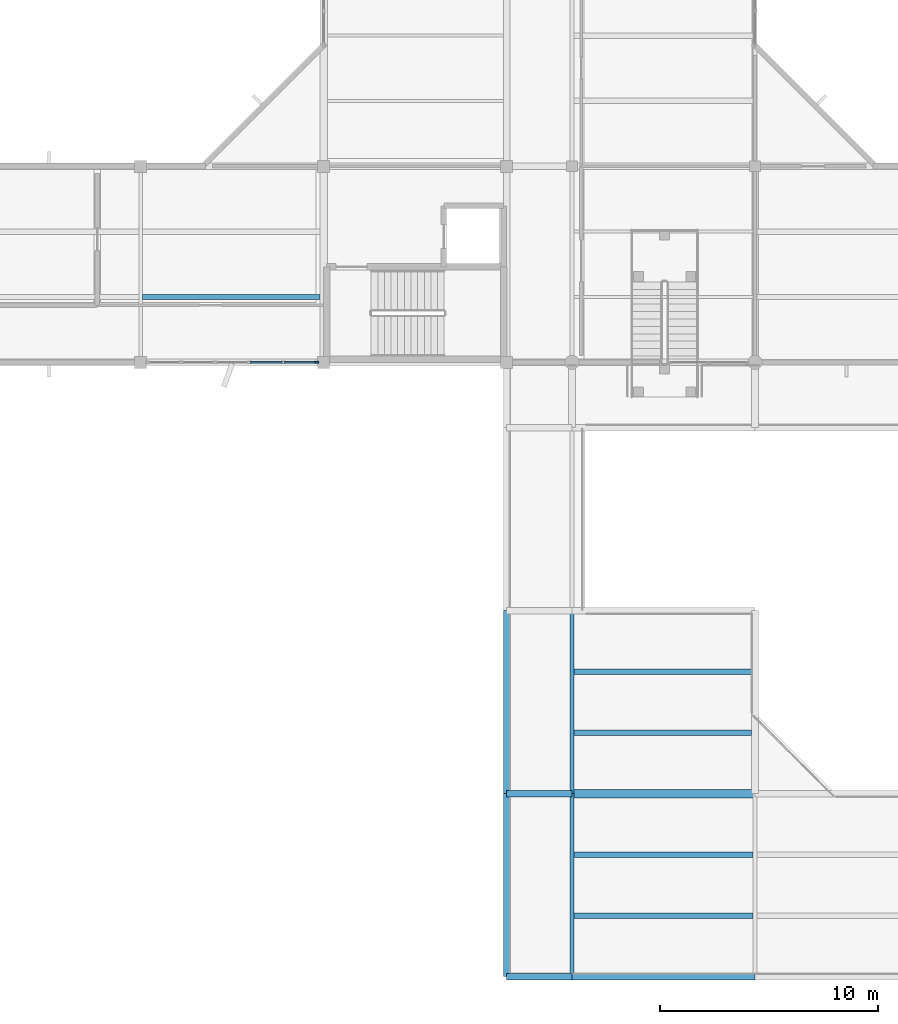
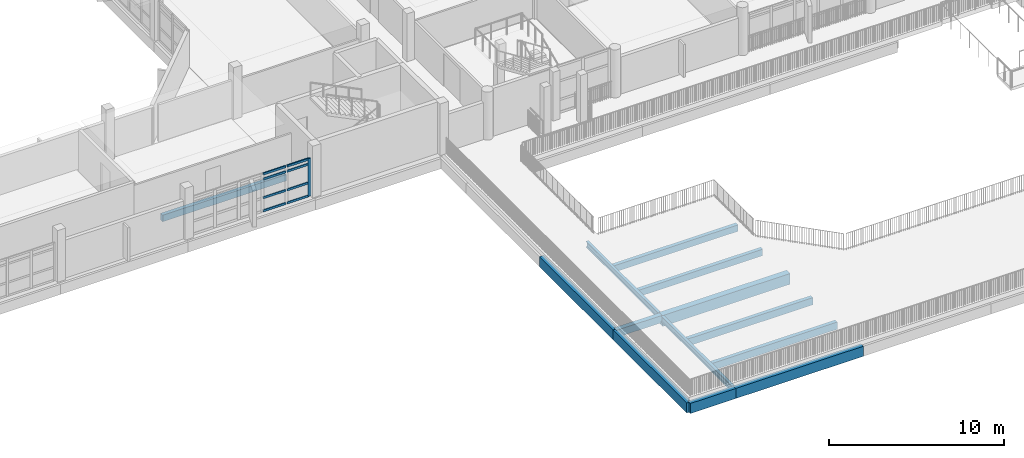
# One storey, part 3 of 51: 13 beams, 9 members, 1 element without a shape of its own.
"""IFC4 building model written with IfcOpenShell, lengths in metres."""

from ifc_helpers import new_model, si_unit, direction, frame, origin, origin_2d, place, context, subcontext, project, spatial, rectangle, i_section, extrude, material, material_profile, profile_set, type_object, element, aggregate, save


model = new_model("IFC4")

# Units and contexts
model_context = context("Model", 3, precision=1e-05, world=origin(), true_north=direction((0.0, 1.0)))
body_context = subcontext(model_context, "Body", "Model", "MODEL_VIEW")
ifc_project = project(units=[si_unit("LENGTHUNIT", "METRE"), si_unit("AREAUNIT", "SQUARE_METRE"), si_unit("VOLUMEUNIT", "CUBIC_METRE"), si_unit("PLANEANGLEUNIT", "RADIAN"), si_unit("MASSUNIT", "GRAM", prefix="KILO")], contexts=[model_context])

# Site, building, storey
site_placement = place(None, origin())
site = spatial("IfcSite", under=ifc_project, at=site_placement, CompositionType="ELEMENT")
building_placement = place(site_placement, origin())
building = spatial("IfcBuilding", under=site, at=building_placement, Name="Vanh Quang Courtyard School", CompositionType="ELEMENT")
storey_placement = place(building_placement, frame((0.0, 0.0, 11.39990234375)))
storey = spatial("IfcBuildingStorey", under=building, at=storey_placement, Name="L03", CompositionType="ELEMENT", Elevation=11.39990234375)

# Beams
ifc_material_1 = material(Name="Concrete C35/45", Category="concrete")
ifc_material_profile_1 = material_profile(ifc_material_1, rectangle(XDim=0.300048828125, YDim=0.5, at=origin_2d()), Name="RC-BM 300x500")
ifc_profile_set_1 = profile_set([ifc_material_profile_1], Name="Concrete C35/45")
beam_type_1 = type_object("IfcBeamType", Name="BM-RC-300x500", PredefinedType="BEAM", material=ifc_profile_set_1)
beam_1_placement = place(storey_placement, frame((74.39990234375, 12.60009765625, -0.56982421875), z_axis=(1.0, 0.0, 0.0), x_axis=(0.0, 1.0, 0.0)))
element("IfcBeam", 1, at=beam_1_placement, inside=storey, type_object=beam_type_1, Name="Beam B-08 (L03)", PredefinedType="BEAM", context=body_context, shape_type="SweptSolid", body=[
    extrude(rectangle(XDim=0.300048828125, YDim=0.5, at=origin_2d()), origin(), (0.0, 0.0, 1.0), 3.0),
])
ifc_material_profile_2 = material_profile(ifc_material_1, rectangle(XDim=0.39990234375, YDim=0.75, at=origin_2d()), Name="RC-BM 400x750")
ifc_profile_set_2 = profile_set([ifc_material_profile_2], Name="Concrete C35/45")
beam_type_2 = type_object("IfcBeamType", Name="BM-RC-400x750", PredefinedType="BEAM", material=ifc_profile_set_2)
beam_2_placement = place(storey_placement, frame((77.39990234375, 12.60009765625, -0.69482421875), z_axis=(1.0, 0.0, 0.0), x_axis=(0.0, 1.0, 0.0)))
element("IfcBeam", 2, at=beam_2_placement, inside=storey, type_object=beam_type_2, Name="Beam B-03 (L03)", PredefinedType="BEAM", context=body_context, shape_type="SweptSolid", body=[
    extrude(rectangle(XDim=0.39990234375, YDim=0.75, at=origin_2d()), origin(), (0.0, 0.0, 1.0), 8.400146484375),
])
ifc_material_profile_3 = material_profile(ifc_material_1, rectangle(XDim=0.300048828125, YDim=0.699951171875, at=origin_2d()), Name="RC-SP 300x700")
ifc_profile_set_3 = profile_set([ifc_material_profile_3], Name="Concrete C35/45")
beam_type_3 = type_object("IfcBeamType", Name="BM-SP-300x700", PredefinedType="SPANDREL", material=ifc_profile_set_3)
beam_3_placement = place(storey_placement, frame((74.39990234375, 4.199951171875, -0.669921875), z_axis=(1.0, 0.0, 0.0), x_axis=(0.0, 1.0, 0.0)))
element("IfcBeam", 3, at=beam_3_placement, inside=storey, type_object=beam_type_3, Name="Beam BS-01 (L03)", PredefinedType="SPANDREL", context=body_context, shape_type="SweptSolid", body=[
    extrude(rectangle(XDim=0.300048828125, YDim=0.699951171875, at=origin_2d()), origin(), (0.0, 0.0, 1.0), 3.0),
])
for number, where, z_axis, x_axis, name in (
    (4, (77.39990234375, 4.199951171875, -0.669921875), (1.0, 0.0, 0.0), (0.0, 1.0, 0.0), "Beam BS-01 (L03)"),
    (5, (74.39990234375, 4.199951171875, -0.669921875), (0.0, 1.0, 0.0), (-1.0, 0.0, 0.0), "Beam BS-01 (L03)"),
):
    element("IfcBeam", number, at=place(storey_placement, frame(where, z_axis=z_axis, x_axis=x_axis)), inside=storey, type_object=beam_type_3, Name=name, PredefinedType="SPANDREL", context=body_context, shape_type="SweptSolid", body=[
        extrude(rectangle(XDim=0.300048828125, YDim=0.699951171875, at=origin_2d()), origin(), (0.0, 0.0, 1.0), 8.400146484375),
    ])
beam_4_placement = place(storey_placement, frame((74.39990234375, 12.60009765625, -0.669921875), z_axis=(0.0, 1.0, 0.0), x_axis=(-1.0, 0.0, 0.0)))
element("IfcBeam", 6, at=beam_4_placement, inside=storey, type_object=beam_type_3, Name="Beam BS-01 (L03)", PredefinedType="SPANDREL", context=body_context, shape_type="SweptSolid", body=[
    extrude(rectangle(XDim=0.300048828125, YDim=0.699951171875, at=origin_2d()), origin(), (0.0, 0.0, 1.0), 8.39990234375),
])
ifc_material_2 = material(Name="Structural steel EN 10025-2 S355J2", Category="steel")
ifc_material_profile_4 = material_profile(ifc_material_2, i_section(OverallWidth=0.179931640625, OverallDepth=0.39990234375, WebThickness=0.008544921875, FlangeThickness=0.013427734375, FilletRadius=0.02099609375, at=origin_2d()), Name="IPE 400")
ifc_profile_set_4 = profile_set([ifc_material_profile_4], Name="Structural steel EN 10025-2 S355J2")
beam_type_4 = type_object("IfcBeamType", Name="BM-STL-IPE400", PredefinedType="BEAM", material=ifc_profile_set_4)
beam_5_placement = place(storey_placement, frame((77.39990234375, 4.199951171875, -0.52001953125), z_axis=(0.0, 1.0, 0.0), x_axis=(-1.0, 0.0, 0.0)))
element("IfcBeam", 7, at=beam_5_placement, inside=storey, type_object=beam_type_4, Name="Beam SB-05 (L03)", PredefinedType="BEAM", context=body_context, shape_type="SweptSolid", body=[
    extrude(i_section(OverallWidth=0.179931640625, OverallDepth=0.39990234375, WebThickness=0.008544921875, FlangeThickness=0.013427734375, FilletRadius=0.02099609375, at=origin_2d()), origin(), (0.0, 0.0, 1.0), 8.400146484375),
])
beam_6_placement = place(storey_placement, frame((77.39990234375, 12.60009765625, -0.52001953125), z_axis=(0.0, 1.0, 0.0), x_axis=(-1.0, 0.0, 0.0)))
element("IfcBeam", 8, at=beam_6_placement, inside=storey, type_object=beam_type_4, Name="Beam SB-05 (L03)", PredefinedType="BEAM", context=body_context, shape_type="SweptSolid", body=[
    extrude(i_section(OverallWidth=0.179931640625, OverallDepth=0.39990234375, WebThickness=0.008544921875, FlangeThickness=0.013427734375, FilletRadius=0.02099609375, at=origin_2d()), origin(), (0.0, 0.0, 1.0), 8.39990234375),
])

# Curtain wall, members
ifc_material_3 = material(Name="Thermally broken aluminium unitised curtain wall", Category="aluminium")
curtain_wall_type = type_object("IfcCurtainWallType", Name="CW-SYS-24", PredefinedType="NOTDEFINED", material=ifc_material_3)
curtain_wall_placement = place(storey_placement, origin())
curtain_wall = element("IfcCurtainWall", 9, at=curtain_wall_placement, inside=storey, type_object=curtain_wall_type, Name="Curtain Wall CW-24 (L03)", PredefinedType="NOTDEFINED")
ifc_material_4 = material(Name="Anodised aluminium 6063-T6", Category="aluminium")
ifc_material_profile_5 = material_profile(ifc_material_4, rectangle(XDim=0.080078125, YDim=0.199951171875, at=origin_2d()), Name="ALU-MUL 80x200")
ifc_profile_set_5 = profile_set([ifc_material_profile_5], Name="Anodised aluminium 6063-T6")
member_type_1 = type_object("IfcMemberType", Name="CW-MUL-80x200", PredefinedType="MULLION", material=ifc_profile_set_5)
member_1_placement = place(storey_placement, frame((65.677001953125, 32.39990234375, 0.0), z_axis=(0.0, 0.0, 1.0), x_axis=(0.0, -1.0, 0.0)))
member_1 = element("IfcMember", 10, at=member_1_placement, type_object=member_type_1, Name="CW-24 mullion 1", PredefinedType="MULLION", context=body_context, shape_type="SweptSolid", body=[
    extrude(rectangle(XDim=0.080078125, YDim=0.199951171875, at=origin_2d()), origin(), (0.0, 0.0, 1.0), 2.64013671875),
])
ifc_material_profile_6 = material_profile(ifc_material_4, rectangle(XDim=0.080078125, YDim=0.14990234375, at=origin_2d()), Name="ALU-TRN 80x150")
ifc_profile_set_6 = profile_set([ifc_material_profile_6], Name="Anodised aluminium 6063-T6")
member_type_2 = type_object("IfcMemberType", Name="CW-TRN-80x150", PredefinedType="USERDEFINED", material=ifc_profile_set_6)
member_2_placement = place(storey_placement, frame((65.636962890625, 32.39990234375, 0.0400390625), z_axis=(-1.0, 0.0, 0.0), x_axis=(0.0, -1.0, 0.0)))
member_2 = element("IfcMember", 11, at=member_2_placement, type_object=member_type_2, Name="CW-24 transom 1.1", ObjectType="TRANSOM", PredefinedType="USERDEFINED", context=body_context, shape_type="SweptSolid", body=[
    extrude(rectangle(XDim=0.080078125, YDim=0.14990234375, at=origin_2d()), origin(), (0.0, 0.0, 1.0), 1.44677734375),
])
member_3_placement = place(storey_placement, frame((65.636962890625, 32.39990234375, 0.9501953125), z_axis=(-1.0, 0.0, 0.0), x_axis=(0.0, -1.0, 0.0)))
member_3 = element("IfcMember", 12, at=member_3_placement, type_object=member_type_2, Name="CW-24 transom 1.2", ObjectType="TRANSOM", PredefinedType="USERDEFINED", context=body_context, shape_type="SweptSolid", body=[
    extrude(rectangle(XDim=0.080078125, YDim=0.14990234375, at=origin_2d()), origin(), (0.0, 0.0, 1.0), 1.44677734375),
])
member_4_placement = place(storey_placement, frame((65.636962890625, 32.39990234375, 2.25), z_axis=(-1.0, 0.0, 0.0), x_axis=(0.0, -1.0, 0.0)))
member_4 = element("IfcMember", 13, at=member_4_placement, type_object=member_type_2, Name="CW-24 transom 1.3", ObjectType="TRANSOM", PredefinedType="USERDEFINED", context=body_context, shape_type="SweptSolid", body=[
    extrude(rectangle(XDim=0.080078125, YDim=0.14990234375, at=origin_2d()), origin(), (0.0, 0.0, 1.0), 1.44677734375),
])
member_5_placement = place(storey_placement, frame((65.636962890625, 32.39990234375, 2.60009765625), z_axis=(-1.0, 0.0, 0.0), x_axis=(0.0, -1.0, 0.0)))
member_5 = element("IfcMember", 14, at=member_5_placement, type_object=member_type_2, Name="CW-24 transom 1.4", ObjectType="TRANSOM", PredefinedType="USERDEFINED", context=body_context, shape_type="SweptSolid", body=[
    extrude(rectangle(XDim=0.080078125, YDim=0.14990234375, at=origin_2d()), origin(), (0.0, 0.0, 1.0), 1.44677734375),
])
member_6_placement = place(storey_placement, frame((64.110107421875, 32.39990234375, 0.0400390625), z_axis=(-1.0, 0.0, 0.0), x_axis=(0.0, -1.0, 0.0)))
member_6 = element("IfcMember", 15, at=member_6_placement, type_object=member_type_2, Name="CW-24 transom 2.1", ObjectType="TRANSOM", PredefinedType="USERDEFINED", context=body_context, shape_type="SweptSolid", body=[
    extrude(rectangle(XDim=0.080078125, YDim=0.14990234375, at=origin_2d()), origin(), (0.0, 0.0, 1.0), 1.48681640625),
])
member_7_placement = place(storey_placement, frame((64.110107421875, 32.39990234375, 0.9501953125), z_axis=(-1.0, 0.0, 0.0), x_axis=(0.0, -1.0, 0.0)))
member_7 = element("IfcMember", 16, at=member_7_placement, type_object=member_type_2, Name="CW-24 transom 2.2", ObjectType="TRANSOM", PredefinedType="USERDEFINED", context=body_context, shape_type="SweptSolid", body=[
    extrude(rectangle(XDim=0.080078125, YDim=0.14990234375, at=origin_2d()), origin(), (0.0, 0.0, 1.0), 1.48681640625),
])
member_8_placement = place(storey_placement, frame((64.110107421875, 32.39990234375, 2.25), z_axis=(-1.0, 0.0, 0.0), x_axis=(0.0, -1.0, 0.0)))
member_8 = element("IfcMember", 17, at=member_8_placement, type_object=member_type_2, Name="CW-24 transom 2.3", ObjectType="TRANSOM", PredefinedType="USERDEFINED", context=body_context, shape_type="SweptSolid", body=[
    extrude(rectangle(XDim=0.080078125, YDim=0.14990234375, at=origin_2d()), origin(), (0.0, 0.0, 1.0), 1.48681640625),
])
member_9_placement = place(storey_placement, frame((64.110107421875, 32.39990234375, 2.60009765625), z_axis=(-1.0, 0.0, 0.0), x_axis=(0.0, -1.0, 0.0)))
member_9 = element("IfcMember", 18, at=member_9_placement, type_object=member_type_2, Name="CW-24 transom 2.4", ObjectType="TRANSOM", PredefinedType="USERDEFINED", context=body_context, shape_type="SweptSolid", body=[
    extrude(rectangle(XDim=0.080078125, YDim=0.14990234375, at=origin_2d()), origin(), (0.0, 0.0, 1.0), 1.48681640625),
])
aggregate(curtain_wall, [member_1, member_2, member_3, member_4, member_5, member_6, member_7, member_8, member_9])

# Beams
ifc_material_5 = material(Name="Concrete C30/37", Category="concrete")
ifc_material_profile_7 = material_profile(ifc_material_5, rectangle(XDim=0.25, YDim=0.449951171875, at=origin_2d()), Name="RC-JST 250x450")
ifc_profile_set_7 = profile_set([ifc_material_profile_7], Name="Concrete C30/37")
beam_type_5 = type_object("IfcBeamType", Name="JST-RC-250x450", PredefinedType="JOIST", material=ifc_profile_set_7)
beam_7_placement = place(storey_placement, frame((57.68505859375, 35.39990234375, -0.52490234375), z_axis=(1.0, 0.0, 0.0), x_axis=(0.0, 1.0, 0.0)))
element("IfcBeam", 19, at=beam_7_placement, inside=storey, type_object=beam_type_5, Name="Beam BJ-02 (L03)", PredefinedType="JOIST", context=body_context, shape_type="SweptSolid", body=[
    extrude(rectangle(XDim=0.25, YDim=0.449951171875, at=origin_2d()), origin(), (0.0, 0.0, 1.0), 8.139892578125),
])
for number, where, z_axis, x_axis, name in (
    (20, (77.489990234375, 15.39990234375, -0.544921875), (1.0, 0.0, 0.0), (0.0, 1.0, 0.0), "Beam BJ-02 (L03)"),
    (21, (77.489990234375, 18.199951171875, -0.544921875), (1.0, 0.0, 0.0), (0.0, 1.0, 0.0), "Beam BJ-02 (L03)"),
):
    element("IfcBeam", number, at=place(storey_placement, frame(where, z_axis=z_axis, x_axis=x_axis)), inside=storey, type_object=beam_type_5, Name=name, PredefinedType="JOIST", context=body_context, shape_type="SweptSolid", body=[
        extrude(rectangle(XDim=0.25, YDim=0.449951171875, at=origin_2d()), origin(), (0.0, 0.0, 1.0), 8.159912109375),
    ])
ifc_material_profile_8 = material_profile(ifc_material_5, rectangle(XDim=0.25, YDim=0.5, at=origin_2d()), Name="RC-JST 250x500")
ifc_profile_set_8 = profile_set([ifc_material_profile_8], Name="Concrete C30/37")
beam_type_6 = type_object("IfcBeamType", Name="JST-RC-250x500", PredefinedType="JOIST", material=ifc_profile_set_8)
for number, where, z_axis, x_axis, name in (
    (22, (77.489990234375, 7.0, -0.56982421875), (1.0, 0.0, 0.0), (0.0, 1.0, 0.0), "Beam BJ-01 (L03)"),
    (23, (77.489990234375, 9.800048828125, -0.56982421875), (1.0, 0.0, 0.0), (0.0, 1.0, 0.0), "Beam BJ-01 (L03)"),
):
    element("IfcBeam", number, at=place(storey_placement, frame(where, z_axis=z_axis, x_axis=x_axis)), inside=storey, type_object=beam_type_6, Name=name, PredefinedType="JOIST", context=body_context, shape_type="SweptSolid", body=[
        extrude(rectangle(XDim=0.25, YDim=0.5, at=origin_2d()), origin(), (0.0, 0.0, 1.0), 8.22509765625),
    ])

save(model, "model.ifc")
